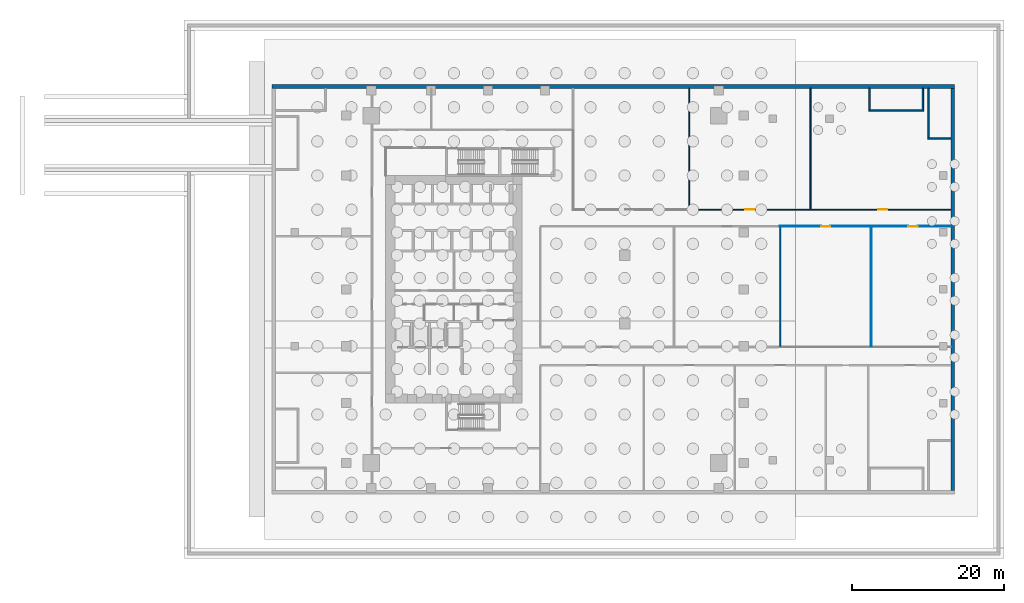
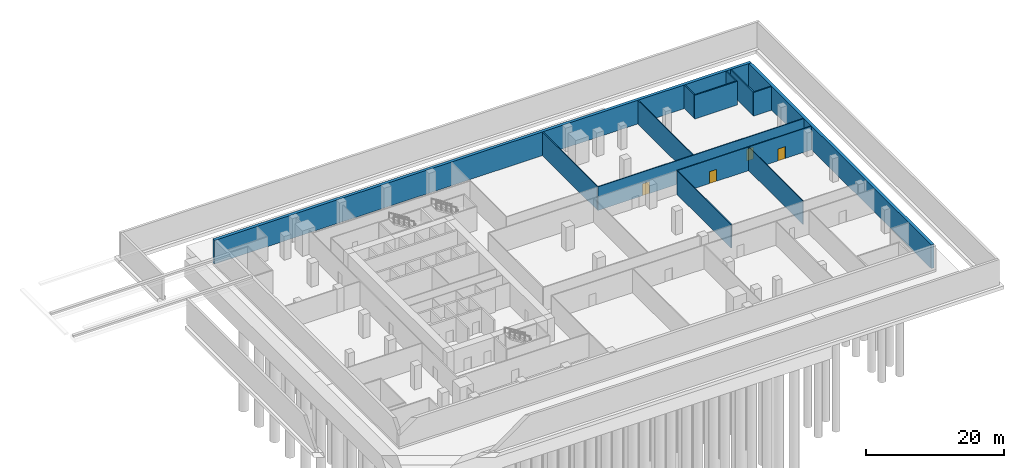
# One storey, part 7 of 10: 13 walls, 4 doors, 4 openings.
"""IFC4 building model written with IfcOpenShell, lengths in metres."""

from ifc_helpers import new_model, si_unit, direction, frame, frame_2d, origin, place, context, subcontext, project, spatial, rectangle, extrude, source, transform, mapped, material, layer, layer_set, type_object, element, fill, save


model = new_model("IFC4")

# Units and contexts
model_context = context("Model", 3, precision=1e-05, world=origin(), true_north=direction((0.0, 1.0)))
body_context = subcontext(model_context, "Body", "Model", "MODEL_VIEW")
ifc_project = project(units=[si_unit("LENGTHUNIT", "METRE"), si_unit("AREAUNIT", "SQUARE_METRE"), si_unit("VOLUMEUNIT", "CUBIC_METRE"), si_unit("PLANEANGLEUNIT", "RADIAN"), si_unit("MASSUNIT", "GRAM", prefix="KILO")], contexts=[model_context])

# Site, building, storey
site_placement = place(None, origin())
site = spatial("IfcSite", under=ifc_project, at=site_placement, CompositionType="ELEMENT")
building_placement = place(site_placement, origin())
building = spatial("IfcBuilding", under=site, at=building_placement, Name="Khomas Fold Tower", CompositionType="ELEMENT")
storey_placement = place(building_placement, frame((0.0, 0.0, -9.0)))
storey = spatial("IfcBuildingStorey", under=building, at=storey_placement, Name="B2", CompositionType="ELEMENT", Elevation=-9.0)

# Walls
ifc_material_1 = material(Name="Concrete C40/50", Category="concrete")
ifc_layer_1 = layer(ifc_material_1, 0.5)
ifc_layer_set_1 = layer_set([ifc_layer_1], Name="Concrete C40/50")
wall_type_1 = type_object("IfcWallType", Name="Basement wall 500", PredefinedType="STANDARD", material=ifc_layer_set_1)
shared_shape_1 = source(origin(), body_context, "Body", "SweptSolid", [
    extrude(rectangle(XDim=90.0, YDim=0.5, at=frame_2d((45.0, 0.0))), origin(), (0.0, 0.0, 1.0), 4.199951171875),
])
wall_1_placement = place(storey_placement, frame((-9.0, 53.75, 0.0), z_axis=(0.0, 0.0, 1.0), x_axis=(1.0, 0.0, 0.0)))
element("IfcWall", 1, at=wall_1_placement, inside=storey, type_object=wall_type_1, Name="Basement wall N", PredefinedType="STANDARD", context=body_context, shape_type="MappedRepresentation", body=[
    mapped(shared_shape_1, transform((0.0, 0.0, 0.0))),
])
shared_shape_2 = source(origin(), body_context, "Body", "SweptSolid", [
    extrude(rectangle(XDim=53.0, YDim=0.5, at=frame_2d((26.5, 0.0))), origin(), (0.0, 0.0, 1.0), 4.199951171875),
])
wall_2_placement = place(storey_placement, frame((80.75, 0.5, 0.0), z_axis=(0.0, 0.0, 1.0), x_axis=(0.0, 1.0, 0.0)))
element("IfcWall", 2, at=wall_2_placement, inside=storey, type_object=wall_type_1, Name="Basement wall E", PredefinedType="STANDARD", context=body_context, shape_type="MappedRepresentation", body=[
    mapped(shared_shape_2, transform((0.0, 0.0, 0.0))),
])

# Wall, openings, doors
ifc_material_2 = material(Name="Plasterboard partition")
ifc_layer_2 = layer(ifc_material_2, 0.125)
ifc_layer_set_2 = layer_set([ifc_layer_2], Name="Plasterboard partition")
wall_type_2 = type_object("IfcWallType", Name="Partition PW2 125", PredefinedType="PARTITIONING", material=ifc_layer_set_2)
shared_shape_3 = source(origin(), body_context, "Body", "SweptSolid", [
    extrude(rectangle(XDim=22.550048828125, YDim=0.125, at=frame_2d((11.27490234375, 0.0))), origin(), (0.0, 0.0, 1.0), 4.199951171875),
])
wall_3_placement = place(storey_placement, frame((57.949951171875, 35.300048828125, 0.0), z_axis=(0.0, 0.0, 1.0), x_axis=(1.0, 0.0, 0.0)))
wall_3 = element("IfcWall", 3, at=wall_3_placement, inside=storey, type_object=wall_type_2, Name="Partition", PredefinedType="PARTITIONING", context=body_context, shape_type="MappedRepresentation", body=[
    mapped(shared_shape_3, transform((0.0, 0.0, 0.0))),
])
shared_shape_4 = source(origin(), body_context, "Body", "SweptSolid", [
    extrude(rectangle(XDim=1.199951171875, YDim=2.10009765625, at=frame_2d((0.60009765625, 1.050048828125))), frame((0.0, 0.072509765625, 0.0), z_axis=(0.0, -1.0, 0.0), x_axis=(1.0, 0.0, 0.0)), (0.0, 0.0, 1.0), 0.14501953125),
])
opening_1_placement = place(wall_3_placement, frame((5.449951171875, 0.0, 0.0)))
opening_1 = element("IfcOpeningElement", 4, at=opening_1_placement, cuts=wall_3, Name="Opening 0013", PredefinedType="OPENING", context=body_context, shape_type="MappedRepresentation", body=[
    mapped(shared_shape_4, transform((0.0, 0.0, 0.0))),
])
opening_2_placement = place(wall_3_placement, frame((16.949951171875, 0.0, 0.0)))
opening_2 = element("IfcOpeningElement", 5, at=opening_2_placement, cuts=wall_3, Name="Opening 0001", PredefinedType="OPENING", context=body_context, shape_type="MappedRepresentation", body=[
    mapped(shared_shape_4, transform((0.0, 0.0, 0.0))),
])
ifc_material_3 = material(Name="Timber door leaf", Category="wood")
door_type_1 = type_object("IfcDoorType", Name="Door 1200x2100 left-hand", OperationType="SINGLE_SWING_LEFT", PredefinedType="DOOR", material=ifc_material_3)
shared_shape_5 = source(origin(), body_context, "Body", "SweptSolid", [
    extrude(rectangle(XDim=1.199951171875, YDim=2.10009765625, at=frame_2d((0.60009765625, 1.050048828125))), frame((0.0, 0.02490234375, 0.0), z_axis=(0.0, -1.0, 0.0), x_axis=(1.0, 0.0, 0.0)), (0.0, 0.0, 1.0), 0.050048828125),
])
door_1_placement = place(opening_1_placement, origin())
door_1 = element("IfcDoor", 6, at=door_1_placement, inside=storey, type_object=door_type_1, Name="Door", OperationType="SINGLE_SWING_LEFT", OverallHeight=2.10009765625, OverallWidth=1.199951171875, PredefinedType="DOOR", context=body_context, shape_type="MappedRepresentation", body=[
    mapped(shared_shape_5, transform((0.0, 0.0, 0.0))),
])
fill(opening_1, door_1)
ifc_material_4 = material(Name="Timber door leaf", Category="wood")
door_type_2 = type_object("IfcDoorType", Name="Door 1200x2100 right-hand", OperationType="SINGLE_SWING_RIGHT", PredefinedType="DOOR", material=ifc_material_4)
door_2_placement = place(opening_2_placement, origin())
door_2 = element("IfcDoor", 7, at=door_2_placement, inside=storey, type_object=door_type_2, Name="Door", OperationType="SINGLE_SWING_RIGHT", OverallHeight=2.10009765625, OverallWidth=1.199951171875, PredefinedType="DOOR", context=body_context, shape_type="MappedRepresentation", body=[
    mapped(shared_shape_5, transform((0.0, 0.0, 0.0))),
])
fill(opening_2, door_2)

# Walls
ifc_material_5 = material(Name="Plasterboard fire partition")
ifc_layer_3 = layer(ifc_material_5, 0.14990234375)
ifc_layer_set_3 = layer_set([ifc_layer_3], Name="Plasterboard fire partition")
wall_type_3 = type_object("IfcWallType", Name="Plant room wall PW3 150", PredefinedType="PARTITIONING", material=ifc_layer_set_3)
shared_shape_6 = source(origin(), body_context, "Body", "SweptSolid", [
    extrude(rectangle(XDim=15.699951171875, YDim=0.14990234375, at=frame_2d((7.85009765625, 0.0))), origin(), (0.0, 0.0, 1.0), 4.199951171875),
])
wall_4_placement = place(storey_placement, frame((58.0, 19.5, 0.0), z_axis=(0.0, 0.0, 1.0), x_axis=(0.0, 1.0, 0.0)))
element("IfcWall", 8, at=wall_4_placement, inside=storey, type_object=wall_type_3, Name="Plant room wall", PredefinedType="PARTITIONING", context=body_context, shape_type="MappedRepresentation", body=[
    mapped(shared_shape_6, transform((0.0, 0.0, 0.0))),
])
ifc_material_6 = material(Name="Plasterboard partition")
ifc_layer_4 = layer(ifc_material_6, 0.10009765625)
ifc_layer_set_4 = layer_set([ifc_layer_4], Name="Plasterboard partition")
wall_type_4 = type_object("IfcWallType", Name="Partition PW1 100", PredefinedType="PARTITIONING", material=ifc_layer_set_4)
shared_shape_7 = source(origin(), body_context, "Body", "SweptSolid", [
    extrude(rectangle(XDim=15.699951171875, YDim=0.10009765625, at=frame_2d((7.85009765625, 0.0))), origin(), (0.0, 0.0, 1.0), 4.199951171875),
])
wall_5_placement = place(storey_placement, frame((70.0, 19.5, 0.0), z_axis=(0.0, 0.0, 1.0), x_axis=(0.0, 1.0, 0.0)))
element("IfcWall", 9, at=wall_5_placement, inside=storey, type_object=wall_type_4, Name="Partition", PredefinedType="PARTITIONING", context=body_context, shape_type="MappedRepresentation", body=[
    mapped(shared_shape_7, transform((0.0, 0.0, 0.0))),
])

# Wall, openings, doors
shared_shape_8 = source(origin(), body_context, "Body", "SweptSolid", [
    extrude(rectangle(XDim=34.550048828125, YDim=0.14990234375, at=frame_2d((17.27490234375, 0.0))), origin(), (0.0, 0.0, 1.0), 4.199951171875),
])
wall_6_placement = place(storey_placement, frame((45.949951171875, 37.5, 0.0), z_axis=(0.0, 0.0, 1.0), x_axis=(1.0, 0.0, 0.0)))
wall_6 = element("IfcWall", 10, at=wall_6_placement, inside=storey, type_object=wall_type_3, Name="Plant room wall", PredefinedType="PARTITIONING", context=body_context, shape_type="MappedRepresentation", body=[
    mapped(shared_shape_8, transform((0.0, 0.0, 0.0))),
])
shared_shape_9 = source(origin(), body_context, "Body", "SweptSolid", [
    extrude(rectangle(XDim=1.199951171875, YDim=2.10009765625, at=frame_2d((0.60009765625, 1.050048828125))), frame((0.0, 0.0849609375, 0.0), z_axis=(0.0, -1.0, 0.0), x_axis=(1.0, 0.0, 0.0)), (0.0, 0.0, 1.0), 0.169921875),
])
opening_3_placement = place(wall_6_placement, frame((7.449951171875, 0.0, 0.0)))
opening_3 = element("IfcOpeningElement", 11, at=opening_3_placement, cuts=wall_6, Name="Opening 0012", PredefinedType="OPENING", context=body_context, shape_type="MappedRepresentation", body=[
    mapped(shared_shape_9, transform((0.0, 0.0, 0.0))),
])
opening_4_placement = place(wall_6_placement, frame((24.949951171875, 0.0, 0.0)))
opening_4 = element("IfcOpeningElement", 12, at=opening_4_placement, cuts=wall_6, Name="Opening 0011", PredefinedType="OPENING", context=body_context, shape_type="MappedRepresentation", body=[
    mapped(shared_shape_9, transform((0.0, 0.0, 0.0))),
])
ifc_material_7 = material(Name="Steel door leaf", Category="steel")
door_type_3 = type_object("IfcDoorType", Name="Plant room door 1200x2100 left-hand", OperationType="SINGLE_SWING_LEFT", PredefinedType="DOOR", material=ifc_material_7)
door_3_placement = place(opening_3_placement, origin())
door_3 = element("IfcDoor", 13, at=door_3_placement, inside=storey, type_object=door_type_3, Name="Plant room door", OperationType="SINGLE_SWING_LEFT", OverallHeight=2.10009765625, OverallWidth=1.199951171875, PredefinedType="DOOR", context=body_context, shape_type="MappedRepresentation", body=[
    mapped(shared_shape_5, transform((0.0, 0.0, 0.0))),
])
fill(opening_3, door_3)
ifc_material_8 = material(Name="Steel door leaf", Category="steel")
door_type_4 = type_object("IfcDoorType", Name="Plant room door 1200x2100 right-hand", OperationType="SINGLE_SWING_RIGHT", PredefinedType="DOOR", material=ifc_material_8)
door_4_placement = place(opening_4_placement, origin())
door_4 = element("IfcDoor", 14, at=door_4_placement, inside=storey, type_object=door_type_4, Name="Plant room door", OperationType="SINGLE_SWING_RIGHT", OverallHeight=2.10009765625, OverallWidth=1.199951171875, PredefinedType="DOOR", context=body_context, shape_type="MappedRepresentation", body=[
    mapped(shared_shape_5, transform((0.0, 0.0, 0.0))),
])
fill(opening_4, door_4)

# Walls
shared_shape_10 = source(origin(), body_context, "Body", "SweptSolid", [
    extrude(rectangle(XDim=15.89990234375, YDim=0.14990234375, at=frame_2d((7.949951171875, 0.0))), origin(), (0.0, 0.0, 1.0), 4.199951171875),
])
for number, where, z_axis, x_axis, name in (
    (15, (46.0, 37.60009765625, 0.0), (0.0, 0.0, 1.0), (0.0, 1.0, 0.0), "Plant room wall"),
    (16, (62.0, 37.60009765625, 0.0), (0.0, 0.0, 1.0), (0.0, 1.0, 0.0), "Plant room wall"),
):
    element("IfcWall", number, at=place(storey_placement, frame(where, z_axis=z_axis, x_axis=x_axis)), inside=storey, type_object=wall_type_3, Name=name, PredefinedType="PARTITIONING", context=body_context, shape_type="MappedRepresentation", body=[
        mapped(shared_shape_10, transform((0.0, 0.0, 0.0))),
    ])
ifc_material_9 = material(Name="Concrete C30/37", Category="concrete")
ifc_layer_5 = layer(ifc_material_9, 0.199951171875)
ifc_layer_set_5 = layer_set([ifc_layer_5], Name="Concrete C30/37")
wall_type_5 = type_object("IfcWallType", Name="Stair wall PW5 200", PredefinedType="PARTITIONING", material=ifc_layer_set_5)
shared_shape_11 = source(origin(), body_context, "Body", "SweptSolid", [
    extrude(rectangle(XDim=2.85009765625, YDim=0.199951171875, at=frame_2d((1.425048828125, 0.0))), origin(), (0.0, 0.0, 1.0), 4.199951171875),
])
for number, where, z_axis, x_axis, name in (
    (17, (69.800048828125, 50.64990234375, 0.0), (0.0, 0.0, 1.0), (0.0, 1.0, 0.0), "Stair wall"),
    (18, (76.800048828125, 50.64990234375, 0.0), (0.0, 0.0, 1.0), (0.0, 1.0, 0.0), "Stair wall"),
):
    element("IfcWall", number, at=place(storey_placement, frame(where, z_axis=z_axis, x_axis=x_axis)), inside=storey, type_object=wall_type_5, Name=name, PredefinedType="PARTITIONING", context=body_context, shape_type="MappedRepresentation", body=[
        mapped(shared_shape_11, transform((0.0, 0.0, 0.0))),
    ])
shared_shape_12 = source(origin(), body_context, "Body", "SweptSolid", [
    extrude(rectangle(XDim=3.050048828125, YDim=0.199951171875, at=frame_2d((1.52490234375, 0.0))), origin(), (0.0, 0.0, 1.0), 4.199951171875),
])
wall_7_placement = place(storey_placement, frame((77.449951171875, 46.89990234375, 0.0), z_axis=(0.0, 0.0, 1.0), x_axis=(1.0, 0.0, 0.0)))
element("IfcWall", 19, at=wall_7_placement, inside=storey, type_object=wall_type_5, Name="Stair wall", PredefinedType="PARTITIONING", context=body_context, shape_type="MappedRepresentation", body=[
    mapped(shared_shape_12, transform((0.0, 0.0, 0.0))),
])
shared_shape_13 = source(origin(), body_context, "Body", "SweptSolid", [
    extrude(rectangle(XDim=7.199951171875, YDim=0.199951171875, at=frame_2d((3.60009765625, 0.0))), origin(), (0.0, 0.0, 1.0), 4.199951171875),
])
wall_8_placement = place(storey_placement, frame((69.699951171875, 50.550048828125, 0.0), z_axis=(0.0, 0.0, 1.0), x_axis=(1.0, 0.0, 0.0)))
element("IfcWall", 20, at=wall_8_placement, inside=storey, type_object=wall_type_5, Name="Stair wall", PredefinedType="PARTITIONING", context=body_context, shape_type="MappedRepresentation", body=[
    mapped(shared_shape_13, transform((0.0, 0.0, 0.0))),
])
shared_shape_14 = source(origin(), body_context, "Body", "SweptSolid", [
    extrude(rectangle(XDim=6.5, YDim=0.199951171875, at=frame_2d((3.25, 0.0))), origin(), (0.0, 0.0, 1.0), 4.199951171875),
])
wall_9_placement = place(storey_placement, frame((77.550048828125, 47.0, 0.0), z_axis=(0.0, 0.0, 1.0), x_axis=(0.0, 1.0, 0.0)))
element("IfcWall", 21, at=wall_9_placement, inside=storey, type_object=wall_type_5, Name="Stair wall", PredefinedType="PARTITIONING", context=body_context, shape_type="MappedRepresentation", body=[
    mapped(shared_shape_14, transform((0.0, 0.0, 0.0))),
])

save(model, "model.ifc")
